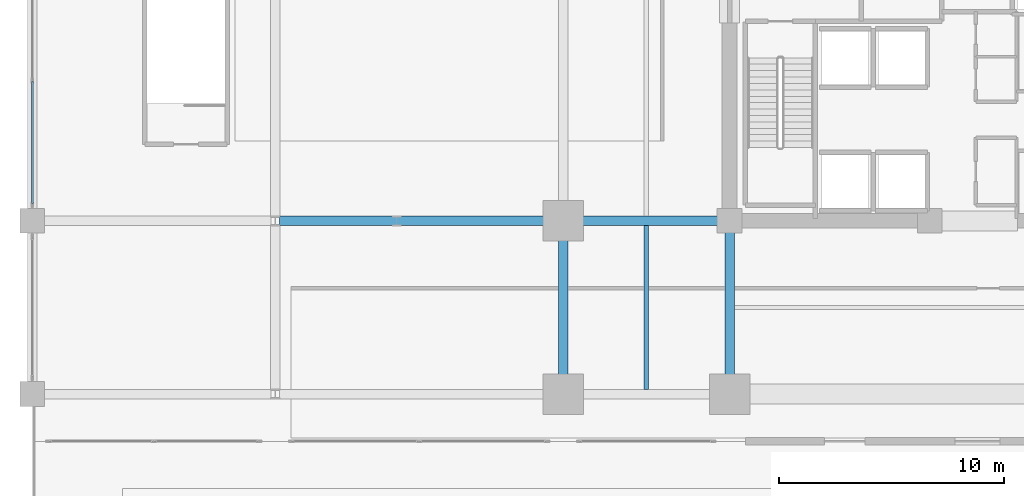
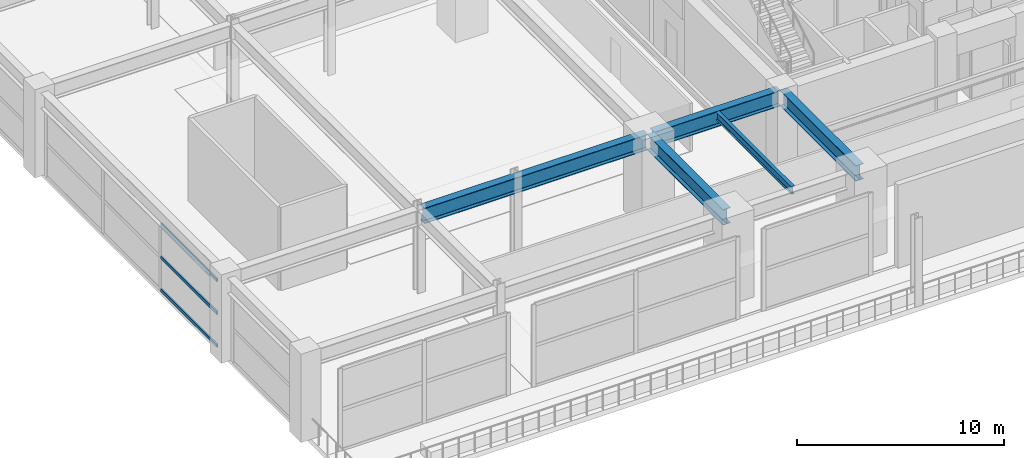
# One storey, part 6 of 35: 5 beams, 3 members, 1 element without a shape of its own.
"""IFC4 building model written with IfcOpenShell, lengths in metres."""

import ifcopenshell
import ifcopenshell.guid

model = None  # the IFC model being written
_history = None  # IfcOwnerHistory: only IFC2X3 demands one
_inside = {}  # id of a spatial element -> (the spatial element, [elements in it])
_under = {}  # id of a project, library or spatial element -> (it, [spatial elements below it])
_declared = {}  # id of a project -> (the project, [libraries it declares])
_typed = {}  # id of a type object -> (the type object, [elements of that type])
_made_of = {}  # id of a material, layer set ... -> (it, [elements and type objects made of it])


def new_model(schema):
    """Start an empty IFC model of exactly this schema.

    Asked for "IFC4X3", IfcOpenShell would pick the latest addendum, in which some entities
    have other attributes; the version numbers below select the first issue.
    IFC2X3 requires an IfcOwnerHistory on every rooted entity: one is made here for all.
    """
    global model, _history
    if schema == "IFC4X3":
        model = ifcopenshell.file(schema_version=(4, 3, 0, 0))
    else:
        model = ifcopenshell.file(schema=schema)
    _inside.clear()
    _under.clear()
    _declared.clear()
    _typed.clear()
    _made_of.clear()
    _history = None
    if model.schema == "IFC2X3":
        org = make("IfcOrganization", Name="unknown")
        user = make(
            "IfcPersonAndOrganization",
            ThePerson=make("IfcPerson", FamilyName="unknown"),
            TheOrganization=org,
        )
        app = make(
            "IfcApplication",
            ApplicationDeveloper=org,
            Version="unknown",
            ApplicationFullName="unknown",
            ApplicationIdentifier="unknown",
        )
        _history = make(
            "IfcOwnerHistory",
            OwningUser=user,
            OwningApplication=app,
            ChangeAction="ADDED",
            CreationDate=0,
        )
    return model


def make(cls, **values):
    """One entity of the class cls with the attributes given. An attribute that is None is left unset."""
    return model.create_entity(
        cls, **{name: value for name, value in values.items() if value is not None}
    )


def rooted(cls, **values):
    """An entity with a GlobalId (a new one), such as an element, a storey or a relation."""
    return make(cls, GlobalId=ifcopenshell.guid.new(), OwnerHistory=_history, **values)


def si_unit(unit_type, name, prefix=None):
    """IfcSIUnit, for example si_unit("LENGTHUNIT", "METRE", prefix="MILLI")."""
    return make("IfcSIUnit", UnitType=unit_type, Prefix=prefix, Name=name)


def assignment(units):
    """IfcUnitAssignment: the units of a project."""
    return None if units is None else make("IfcUnitAssignment", Units=units)


def point(xyz):
    """IfcCartesianPoint."""
    return None if xyz is None else make("IfcCartesianPoint", Coordinates=xyz)


def direction(xyz):
    """IfcDirection."""
    return None if xyz is None else make("IfcDirection", DirectionRatios=xyz)


def frame(location, z_axis=None, x_axis=None):
    """IfcAxis2Placement3D, a coordinate frame: its origin and axes. An axis left out is left unset."""
    return make(
        "IfcAxis2Placement3D",
        Location=point(location),
        Axis=direction(z_axis),
        RefDirection=direction(x_axis),
    )


def frame_2d(location, x_axis=None):
    """IfcAxis2Placement2D, a coordinate frame in the plane: its origin and x axis."""
    return make(
        "IfcAxis2Placement2D", Location=point(location), RefDirection=direction(x_axis)
    )


def origin():
    """The frame at (0, 0, 0) with its axes left unset."""
    return frame((0.0, 0.0, 0.0))


def origin_2d():
    """The frame at (0, 0) in the plane with its x axis left unset."""
    return frame_2d((0.0, 0.0))


def place(relative_to, where):
    """IfcLocalPlacement: puts the frame where relative to a parent placement (None: the world)."""
    return make(
        "IfcLocalPlacement", PlacementRelTo=relative_to, RelativePlacement=where
    )


def context(
    kind, dimensions, precision=None, world=None, true_north=None, identifier=None
):
    """IfcGeometricRepresentationContext, for example the 3D "Model" context."""
    return make(
        "IfcGeometricRepresentationContext",
        ContextIdentifier=identifier,
        ContextType=kind,
        CoordinateSpaceDimension=dimensions,
        Precision=precision,
        WorldCoordinateSystem=world,
        TrueNorth=true_north,
    )


def subcontext(parent, identifier, kind, view, scale=None):
    """IfcGeometricRepresentationSubContext, for example "Body" below "Model"."""
    return make(
        "IfcGeometricRepresentationSubContext",
        ContextIdentifier=identifier,
        ContextType=kind,
        ParentContext=parent,
        TargetScale=scale,
        TargetView=view,
    )


def project(units=None, contexts=None):
    """IfcProject with its units and contexts."""
    return rooted(
        "IfcProject",
        Name="project",
        RepresentationContexts=contexts,
        UnitsInContext=assignment(units),
    )


def spatial(cls, under=None, at=None, **own):
    """A site, building, storey or space (cls), placed at a placement, below another one or the project."""
    s = rooted(cls, ObjectPlacement=at, **own)
    if under is not None:
        _under.setdefault(under.id(), (under, []))[1].append(s)
    return s


def profile(cls, at=None, kind="AREA", **sizes):
    """A parametric profile (cls). Its sizes go by their IFC names, for example OverallWidth=200.0."""
    return make(cls, ProfileType=kind, Position=at, **sizes)


def hollow_rectangle(**sizes):
    """IfcRectangleHollowProfileDef."""
    return profile("IfcRectangleHollowProfileDef", **sizes)


def i_section(**sizes):
    """IfcIShapeProfileDef."""
    return profile("IfcIShapeProfileDef", **sizes)


def extrude(swept, where, along, depth):
    """IfcExtrudedAreaSolid: the profile swept, set in the frame where, extruded along a direction by depth."""
    return make(
        "IfcExtrudedAreaSolid",
        SweptArea=swept,
        Position=where,
        ExtrudedDirection=direction(along),
        Depth=depth,
    )


def shape(context_of_items, identifier, shape_type, items):
    """IfcShapeRepresentation: the items that make up one representation, for example the "Body"."""
    return make(
        "IfcShapeRepresentation",
        ContextOfItems=context_of_items,
        RepresentationIdentifier=identifier,
        RepresentationType=shape_type,
        Items=items,
    )


def material(Name=None, Category=None):
    """IfcMaterial."""
    return make("IfcMaterial", Name=Name, Category=Category)


def material_profile(
    of_material, cross_section, Name=None, Category=None, Priority=None
):
    """IfcMaterialProfile: a cross section and its material."""
    return make(
        "IfcMaterialProfile",
        Name=Name,
        Material=of_material,
        Profile=cross_section,
        Priority=Priority,
        Category=Category,
    )


def profile_set(profiles, Name=None, composite=None):
    """IfcMaterialProfileSet."""
    return make(
        "IfcMaterialProfileSet",
        Name=Name,
        MaterialProfiles=profiles,
        CompositeProfile=composite,
    )


def made_of(thing, what):
    """Note that an element or type object is made of a material, layer set ...; save() writes the relation."""
    if what is not None:
        _made_of.setdefault(what.id(), (what, []))[1].append(thing)
    return thing


def type_object(cls, material=None, **own):
    """A type object (cls), such as IfcWallType, which elements share."""
    return made_of(rooted(cls, **own), material)


def element(
    cls,
    number,
    at=None,
    inside=None,
    cuts=None,
    type_object=None,
    material=None,
    context=None,
    identifier="Body",
    shape_type=None,
    held_by="IfcProductDefinitionShape",
    body=None,
    shapes=None,
    **own,
):
    """One element of the class cls, such as IfcWall. Its Tag is "e" and its number.

    at: its placement. inside: the storey or other place that contains it. cuts: it is an
    opening in that element (IfcRelVoidsElement). A single representation is given by context,
    identifier, shape_type and body (its items); several are given by shapes. held_by: the class
    of the entity that holds the representations. save() writes the other relations.
    """
    e = rooted(cls, Tag="e%d" % number, ObjectPlacement=at, **own)
    if body is not None:
        shapes = [shape(context, identifier, shape_type, body)]
    if shapes is not None:
        e.Representation = make(held_by, Representations=shapes)
    if inside is not None:
        _inside.setdefault(inside.id(), (inside, []))[1].append(e)
    if cuts is not None:
        rooted(
            "IfcRelVoidsElement", RelatingBuildingElement=cuts, RelatedOpeningElement=e
        )
    if type_object is not None:
        _typed.setdefault(type_object.id(), (type_object, []))[1].append(e)
    return made_of(e, material)


def aggregate(whole, parts):
    """IfcRelAggregates: a whole, such as a stair, and the parts it consists of."""
    return rooted("IfcRelAggregates", RelatingObject=whole, RelatedObjects=parts)


def save(model, path):
    """Write the relations noted so far, then the file.

    IfcRelAggregates (storeys below a building ...), IfcRelContainedInSpatialStructure (elements
    in a storey), IfcRelDefinesByType, IfcRelAssociatesMaterial and IfcRelDeclares: one each for
    every whole, place, type object, material and project.
    """
    for whole, parts in _under.values():
        aggregate(whole, parts)
    for where, things in _inside.values():
        rooted(
            "IfcRelContainedInSpatialStructure",
            RelatedElements=things,
            RelatingStructure=where,
        )
    for kind, things in _typed.values():
        rooted("IfcRelDefinesByType", RelatedObjects=things, RelatingType=kind)
    for what, things in _made_of.values():
        rooted("IfcRelAssociatesMaterial", RelatedObjects=things, RelatingMaterial=what)
    for by, libraries in _declared.values():
        rooted("IfcRelDeclares", RelatingContext=by, RelatedDefinitions=libraries)
    model.write(path)


model = new_model("IFC4")

# Units and contexts
model_context = context("Model", 3, precision=1e-05, world=origin(), true_north=direction((0.0, 1.0)))
body_context = subcontext(model_context, "Body", "Model", "MODEL_VIEW")
ifc_project = project(units=[si_unit("LENGTHUNIT", "METRE"), si_unit("AREAUNIT", "SQUARE_METRE"), si_unit("VOLUMEUNIT", "CUBIC_METRE"), si_unit("PLANEANGLEUNIT", "RADIAN"), si_unit("MASSUNIT", "GRAM", prefix="KILO")], contexts=[model_context])

# Site, building, storey
site_placement = place(None, origin())
site = spatial("IfcSite", under=ifc_project, at=site_placement, CompositionType="ELEMENT")
building_placement = place(site_placement, origin())
building = spatial("IfcBuilding", under=site, at=building_placement, Name="Kovane Verandah Tower", CompositionType="ELEMENT")
storey_placement = place(building_placement, frame((0.0, 0.0, 16.39990234375)))
storey = spatial("IfcBuildingStorey", under=building, at=storey_placement, Name="L03", CompositionType="ELEMENT", Elevation=16.39990234375)

# Beams
ifc_material_1 = material(Name="Steel S460", Category="steel")
ifc_material_profile_1 = material_profile(ifc_material_1, i_section(OverallWidth=0.42041015625, OverallDepth=0.9208984375, WebThickness=0.021484375, FlangeThickness=0.03662109375, FilletRadius=0.024169921875, at=origin_2d()), Name="UB914x419x388")
ifc_profile_set_1 = profile_set([ifc_material_profile_1], Name="Steel S460")
beam_type_1 = type_object("IfcBeamType", Name="BM-UB914x388", PredefinedType="BEAM", material=ifc_profile_set_1)
beam_1_placement = place(storey_placement, frame((21.60009765625, 10.97998046875, 4.439697265625), z_axis=(0.0, 1.0, 0.0), x_axis=(-1.0, 0.0, 0.0)))
element("IfcBeam", 1, at=beam_1_placement, inside=storey, type_object=beam_type_1, Name="L03 Primary Tower Girder G-RW1", PredefinedType="BEAM", context=body_context, shape_type="SweptSolid", body=[
    extrude(i_section(OverallWidth=0.42041015625, OverallDepth=0.9208984375, WebThickness=0.021484375, FlangeThickness=0.03662109375, FilletRadius=0.024169921875, at=origin_2d()), origin(), (0.0, 0.0, 1.0), 7.340087890625),
])
beam_2_placement = place(storey_placement, frame((28.820068359375, 18.5, 4.439697265625), z_axis=(-1.0, 0.0, 0.0), x_axis=(0.0, -1.0, 0.0)))
element("IfcBeam", 2, at=beam_2_placement, inside=storey, type_object=beam_type_1, Name="L03 Primary Tower Girder G-W1", PredefinedType="BEAM", context=body_context, shape_type="SweptSolid", body=[
    extrude(i_section(OverallWidth=0.42041015625, OverallDepth=0.9208984375, WebThickness=0.021484375, FlangeThickness=0.03662109375, FilletRadius=0.024169921875, at=origin_2d()), origin(), (0.0, 0.0, 1.0), 7.0400390625),
])
beam_3_placement = place(storey_placement, frame((29.0, 18.320068359375, 4.439697265625), z_axis=(0.0, -1.0, 0.0), x_axis=(1.0, 0.0, 0.0)))
element("IfcBeam", 3, at=beam_3_placement, inside=storey, type_object=beam_type_1, Name="L03 Primary Tower Girder G-S1", PredefinedType="BEAM", context=body_context, shape_type="SweptSolid", body=[
    extrude(i_section(OverallWidth=0.42041015625, OverallDepth=0.9208984375, WebThickness=0.021484375, FlangeThickness=0.03662109375, FilletRadius=0.024169921875, at=origin_2d()), origin(), (0.0, 0.0, 1.0), 7.340087890625),
])
beam_4_placement = place(storey_placement, frame((8.97998046875, 18.5, 4.439697265625), z_axis=(1.0, 0.0, 0.0), x_axis=(0.0, 1.0, 0.0)))
element("IfcBeam", 4, at=beam_4_placement, inside=storey, type_object=beam_type_1, Name="L03 Podium Garden Transfer Girder X06", PredefinedType="BEAM", context=body_context, shape_type="SweptSolid", body=[
    extrude(i_section(OverallWidth=0.42041015625, OverallDepth=0.9208984375, WebThickness=0.021484375, FlangeThickness=0.03662109375, FilletRadius=0.024169921875, at=origin_2d()), origin(), (0.0, 0.0, 1.0), 12.43994140625),
])

# Curtain wall, members
ifc_material_2 = material(Name="Champagne Anodised Aluminium Frame with Low-E Clear Laminated Glass", Category="aluminium")
curtain_wall_type = type_object("IfcCurtainWallType", Name="CW-SYS-01-POD", PredefinedType="NOTDEFINED", material=ifc_material_2)
curtain_wall_placement = place(storey_placement, origin())
curtain_wall = element("IfcCurtainWall", 5, at=curtain_wall_placement, inside=storey, type_object=curtain_wall_type, Name="L03 West Podium Curtain Wall Bay 3", PredefinedType="NOTDEFINED")
ifc_material_3 = material(Name="Champagne Anodised Aluminium 6063-T6", Category="aluminium")
ifc_material_profile_2 = material_profile(ifc_material_3, hollow_rectangle(XDim=0.0849609375, YDim=0.18994140625, WallThickness=0.00390625, at=origin_2d()), Name="AL85x190x4")
ifc_profile_set_2 = profile_set([ifc_material_profile_2], Name="Champagne Anodised Aluminium 6063-T6")
member_type = type_object("IfcMemberType", Name="CW-TRN-85x190", PredefinedType="USERDEFINED", material=ifc_profile_set_2)
member_1_placement = place(storey_placement, frame((-2.0, 24.68994140625, 0.050048828125), z_axis=(0.0, -1.0, 0.0), x_axis=(1.0, 0.0, 0.0)))
member_1 = element("IfcMember", 6, at=member_1_placement, type_object=member_type, Name="L03 West Podium Curtain Wall Bay 3 Transom TB Bay 3", ObjectType="TRANSOM", PredefinedType="USERDEFINED", context=body_context, shape_type="SweptSolid", body=[
    extrude(hollow_rectangle(XDim=0.0849609375, YDim=0.18994140625, WallThickness=0.00390625, at=origin_2d()), origin(), (0.0, 0.0, 1.0), 5.419921875),
])
member_2_placement = place(storey_placement, frame((-2.0, 24.68994140625, 1.9794921875), z_axis=(0.0, -1.0, 0.0), x_axis=(1.0, 0.0, 0.0)))
member_2 = element("IfcMember", 7, at=member_2_placement, type_object=member_type, Name="L03 West Podium Curtain Wall Bay 3 Transom TM Bay 3", ObjectType="TRANSOM", PredefinedType="USERDEFINED", context=body_context, shape_type="SweptSolid", body=[
    extrude(hollow_rectangle(XDim=0.0849609375, YDim=0.18994140625, WallThickness=0.00390625, at=origin_2d()), origin(), (0.0, 0.0, 1.0), 5.419921875),
])
member_3_placement = place(storey_placement, frame((-2.0, 24.68994140625, 3.9091796875), z_axis=(0.0, -1.0, 0.0), x_axis=(1.0, 0.0, 0.0)))
member_3 = element("IfcMember", 8, at=member_3_placement, type_object=member_type, Name="L03 West Podium Curtain Wall Bay 3 Transom TT Bay 3", ObjectType="TRANSOM", PredefinedType="USERDEFINED", context=body_context, shape_type="SweptSolid", body=[
    extrude(hollow_rectangle(XDim=0.0849609375, YDim=0.18994140625, WallThickness=0.00390625, at=origin_2d()), origin(), (0.0, 0.0, 1.0), 5.419921875),
])
aggregate(curtain_wall, [member_1, member_2, member_3])

# Beam
ifc_material_4 = material(Name="Steel S355", Category="steel")
ifc_material_profile_3 = material_profile(ifc_material_4, i_section(OverallWidth=0.19287109375, OverallDepth=0.46728515625, WebThickness=0.011474609375, FlangeThickness=0.01953125, FilletRadius=0.01025390625, at=origin_2d()), Name="UB457x191x98")
ifc_profile_set_3 = profile_set([ifc_material_profile_3], Name="Steel S355")
beam_type_2 = type_object("IfcBeamType", Name="JST-UB457x98", PredefinedType="JOIST", material=ifc_profile_set_3)
beam_5_placement = place(storey_placement, frame((25.300048828125, 11.00830078125, 4.66650390625), z_axis=(0.0, 1.0, 0.0), x_axis=(-1.0, 0.0, 0.0)))
element("IfcBeam", 9, at=beam_5_placement, inside=storey, type_object=beam_type_2, Name="L03 Secondary Composite Joist J-SW1", PredefinedType="JOIST", context=body_context, shape_type="SweptSolid", body=[
    extrude(i_section(OverallWidth=0.19287109375, OverallDepth=0.46728515625, WebThickness=0.011474609375, FlangeThickness=0.01953125, FilletRadius=0.01025390625, at=origin_2d()), origin(), (0.0, 0.0, 1.0), 7.283447265625),
])

save(model, "model.ifc")
